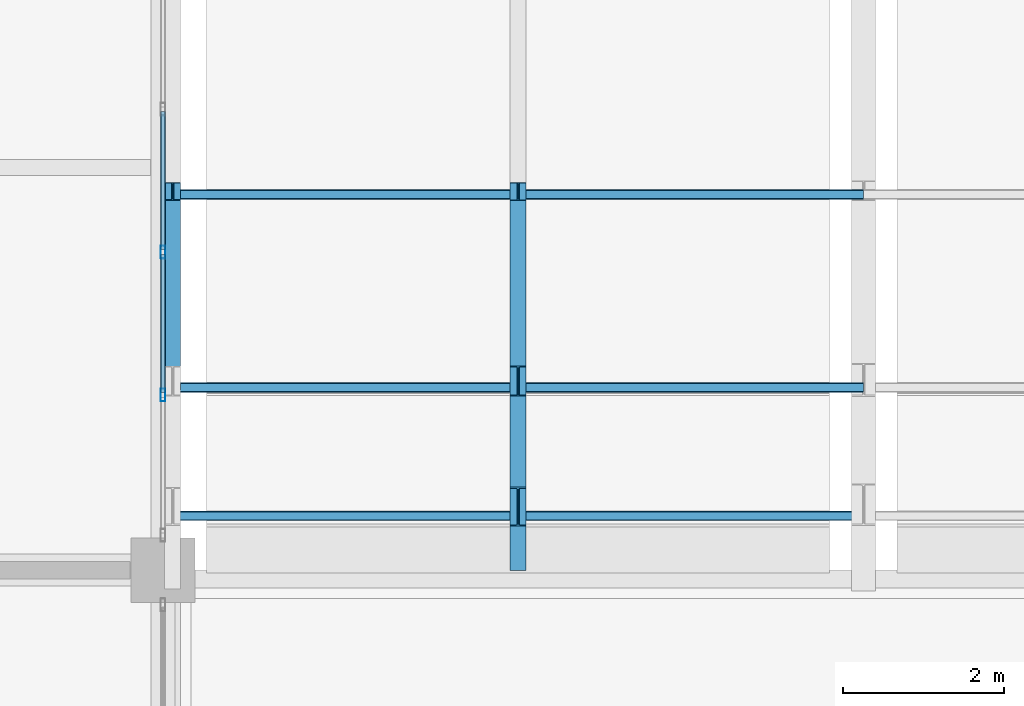
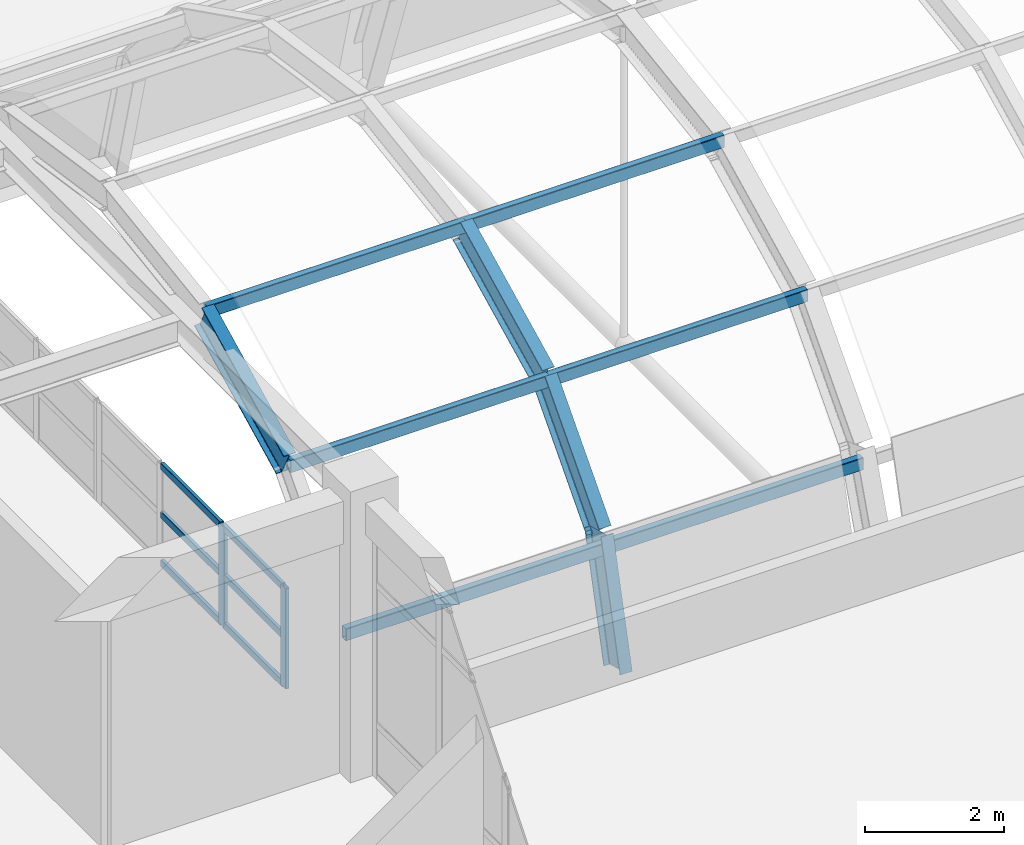
# One storey, part 40 of 124: 14 members, 4 beams, 1 element without a shape of its own.
"""IFC4 building model written with IfcOpenShell, lengths in metres."""

from ifc_helpers import new_model, si_unit, derived_unit, direction, frame, origin, origin_2d, place, context, subcontext, project, spatial, hollow_rectangle, i_section, extrude, material, layer, layer_set, material_profile, profile_set, type_object, element, aggregate, save


model = new_model("IFC4")

# Units and contexts
model_context = context("Model", 3, precision=1e-05, world=origin(), true_north=direction((0.0, 1.0)))
body_context = subcontext(model_context, "Body", "Model", "MODEL_VIEW")
ifc_project = project(units=[si_unit("LENGTHUNIT", "METRE"), si_unit("AREAUNIT", "SQUARE_METRE"), si_unit("VOLUMEUNIT", "CUBIC_METRE"), si_unit("PLANEANGLEUNIT", "RADIAN"), si_unit("MASSUNIT", "GRAM", prefix="KILO"), derived_unit("THERMALTRANSMITTANCEUNIT", [(si_unit("MASSUNIT", "GRAM", prefix="KILO"), 1), (si_unit("TIMEUNIT", "SECOND"), -3), (si_unit("THERMODYNAMICTEMPERATUREUNIT", "KELVIN"), -1)])], contexts=[model_context])

# Site, building, storey
site_placement = place(None, origin())
site = spatial("IfcSite", under=ifc_project, at=site_placement, CompositionType="ELEMENT")
building_placement = place(site_placement, origin())
building = spatial("IfcBuilding", under=site, at=building_placement, Name="Qinzheling Arcade Emporium", CompositionType="ELEMENT")
storey_placement = place(building_placement, frame((0.0, 0.0, 16.5)))
storey = spatial("IfcBuildingStorey", under=building, at=storey_placement, Name="L04", CompositionType="ELEMENT", Elevation=16.5)

# Beams
ifc_material_1 = material(Name="Weathering steel Q355NH", Category="steel")
ifc_material_profile_1 = material_profile(ifc_material_1, i_section(OverallWidth=0.199951171875, OverallDepth=0.5, WebThickness=0.010009765625, FlangeThickness=0.01611328125, FilletRadius=0.01806640625, at=origin_2d()), Name="HN 500x200x10x16", Category="steel")
ifc_profile_set_1 = profile_set([ifc_material_profile_1], Name="Weathering steel Q355NH")
beam_type = type_object("IfcBeamType", Name="Arcade End Arch Rib HN500 Q355NH", PredefinedType="BEAM", material=ifc_profile_set_1)
beam_1_placement = place(storey_placement, frame((104.52001953125, 52.7490234375, 3.760986328125), z_axis=(0.0, 0.89487186558, 0.44632313876), x_axis=(-1.0, 0.0, 0.0)))
element("IfcBeam", 1, at=beam_1_placement, inside=storey, type_object=beam_type, Name="Arcade Arch Rib VLT-ARCADE-RIB-01-S03", PredefinedType="BEAM", context=body_context, shape_type="SweptSolid", body=[
    extrude(i_section(OverallWidth=0.199951171875, OverallDepth=0.5, WebThickness=0.010009765625, FlangeThickness=0.01611328125, FilletRadius=0.01806640625, at=origin_2d()), origin(), (0.0, 0.0, 1.0), 2.6328125),
])
beam_2_placement = place(storey_placement, frame((108.81005859375, 50.639892578125, -0.06396484375), z_axis=(0.0, 0.254220652822, 0.967146245239), x_axis=(-1.0, 0.0, 0.0)))
element("IfcBeam", 2, at=beam_2_placement, inside=storey, type_object=beam_type, Name="Arcade Sub-Rib VLT-ARCADE-SRIB-B01-S01", PredefinedType="BEAM", context=body_context, shape_type="SweptSolid", body=[
    extrude(i_section(OverallWidth=0.199951171875, OverallDepth=0.5, WebThickness=0.010009765625, FlangeThickness=0.01611328125, FilletRadius=0.01806640625, at=origin_2d()), origin(), (0.0, 0.0, 1.0), 2.159912109375),
])
beam_3_placement = place(storey_placement, frame((108.81005859375, 51.18896484375, 2.02490234375), z_axis=(0.0, 0.667513023581, 0.744598122043), x_axis=(-1.0, 0.0, 0.0)))
element("IfcBeam", 3, at=beam_3_placement, inside=storey, type_object=beam_type, Name="Arcade Sub-Rib VLT-ARCADE-SRIB-B01-S02", PredefinedType="BEAM", context=body_context, shape_type="SweptSolid", body=[
    extrude(i_section(OverallWidth=0.199951171875, OverallDepth=0.5, WebThickness=0.010009765625, FlangeThickness=0.01611328125, FilletRadius=0.01806640625, at=origin_2d()), origin(), (0.0, 0.0, 1.0), 2.334228515625),
])
beam_4_placement = place(storey_placement, frame((108.81005859375, 52.7470703125, 3.762939453125), z_axis=(0.0, 0.895093759776, 0.445877966725), x_axis=(-1.0, 0.0, 0.0)))
element("IfcBeam", 4, at=beam_4_placement, inside=storey, type_object=beam_type, Name="Arcade Sub-Rib VLT-ARCADE-SRIB-B01-S03", PredefinedType="BEAM", context=body_context, shape_type="SweptSolid", body=[
    extrude(i_section(OverallWidth=0.199951171875, OverallDepth=0.5, WebThickness=0.010009765625, FlangeThickness=0.01611328125, FilletRadius=0.01806640625, at=origin_2d()), origin(), (0.0, 0.0, 1.0), 2.633056640625),
])

# Members
ifc_material_profile_2 = material_profile(ifc_material_1, hollow_rectangle(XDim=0.1201171875, YDim=0.219970703125, WallThickness=0.008056640625, InnerFilletRadius=0.008056640625, OuterFilletRadius=0.01611328125, at=origin_2d()), Name="RHS 220x120x8", Category="steel")
ifc_profile_set_2 = profile_set([ifc_material_profile_2], Name="Weathering steel Q355NH")
member_type_1 = type_object("IfcMemberType", Name="Arcade Skylight Purlin RHS220 Q355NH", PredefinedType="PURLIN", material=ifc_profile_set_2)
for number, where, z_axis, x_axis, name in (
    (5, (104.52001953125, 51.073974609375, 1.7958984375), (1.0, 0.0, 0.0), (0.0, 1.0, 0.0), "Arcade Skylight Purlin VLT-ARCADE-PUR-B01-N01-1"),
    (6, (108.81005859375, 51.073974609375, 1.7958984375), (1.0, 0.0, 0.0), (0.0, 1.0, 0.0), "Arcade Skylight Purlin VLT-ARCADE-PUR-B01-N01-2"),
    (7, (104.52001953125, 52.66796875, 3.778076171875), (1.0, 0.0, 0.0), (0.0, 1.0, 0.0), "Arcade Skylight Purlin VLT-ARCADE-PUR-B01-N02-1"),
    (8, (108.81005859375, 52.66796875, 3.778076171875), (1.0, 0.0, 0.0), (0.0, 1.0, 0.0), "Arcade Skylight Purlin VLT-ARCADE-PUR-B01-N02-2"),
    (9, (104.52001953125, 55.06591796875, 5.031005859375), (1.0, 0.0, 0.0), (0.0, 1.0, 0.0), "Arcade Skylight Purlin VLT-ARCADE-PUR-B01-N03-1"),
    (10, (108.81005859375, 55.06591796875, 5.031005859375), (1.0, 0.0, 0.0), (0.0, 1.0, 0.0), "Arcade Skylight Purlin VLT-ARCADE-PUR-B01-N03-2"),
):
    element("IfcMember", number, at=place(storey_placement, frame(where, z_axis=z_axis, x_axis=x_axis)), inside=storey, type_object=member_type_1, Name=name, PredefinedType="PURLIN", context=body_context, shape_type="SweptSolid", body=[
        extrude(hollow_rectangle(XDim=0.1201171875, YDim=0.219970703125, WallThickness=0.008056640625, InnerFilletRadius=0.008056640625, OuterFilletRadius=0.01611328125, at=origin_2d()), origin(), (0.0, 0.0, 1.0), 4.2900390625),
    ])

# Curtain wall, members
ifc_material_2 = material(Name="Anodised aluminium and solar-control double glazing", Category="aluminium")
ifc_layer = layer(ifc_material_2, 0.159912109375, Name="Anodised aluminium and solar-control double glazing", Category="aluminium")
ifc_layer_set = layer_set([ifc_layer], Name="Anodised aluminium and solar-control double glazing")
curtain_wall_type = type_object("IfcCurtainWallType", Name="Atrium Clerestory Curtain Wall", PredefinedType="NOTDEFINED", material=ifc_layer_set)
curtain_wall_placement = place(storey_placement, origin())
curtain_wall = element("IfcCurtainWall", 11, at=curtain_wall_placement, inside=storey, type_object=curtain_wall_type, Name="Curtain Wall CW-L04-252", PredefinedType="NOTDEFINED")
ifc_material_3 = material(Name="Anodised aluminium 6063-T6", Category="aluminium")
ifc_material_profile_3 = material_profile(ifc_material_3, hollow_rectangle(XDim=0.06005859375, YDim=0.159912109375, WallThickness=0.00390625, InnerFilletRadius=0.00390625, OuterFilletRadius=0.008056640625, at=origin_2d()), Name="RHS 160x60x4", Category="aluminium")
ifc_profile_set_3 = profile_set([ifc_material_profile_3], Name="Anodised aluminium 6063-T6")
member_type_2 = type_object("IfcMemberType", Name="Curtain Wall Mullion RHS160x60", PredefinedType="MULLION", material=ifc_profile_set_3)
member_1_placement = place(storey_placement, frame((104.39990234375, 54.35009765625, 0.0), z_axis=(0.0, 0.0, 1.0), x_axis=(1.0, 0.0, 0.0)))
member_1 = element("IfcMember", 12, at=member_1_placement, type_object=member_type_2, Name="CW03 mullion 3", PredefinedType="MULLION", context=body_context, shape_type="SweptSolid", body=[
    extrude(hollow_rectangle(XDim=0.06005859375, YDim=0.159912109375, WallThickness=0.00390625, InnerFilletRadius=0.00390625, OuterFilletRadius=0.008056640625, at=origin_2d()), origin(), (0.0, 0.0, 1.0), 1.759033203125),
])
member_2_placement = place(storey_placement, frame((104.39990234375, 52.575927734375, 0.0), z_axis=(0.0, 0.0, 1.0), x_axis=(1.0, 0.0, 0.0)))
member_2 = element("IfcMember", 13, at=member_2_placement, type_object=member_type_2, Name="CW03 mullion 4", PredefinedType="MULLION", context=body_context, shape_type="SweptSolid", body=[
    extrude(hollow_rectangle(XDim=0.06005859375, YDim=0.159912109375, WallThickness=0.00390625, InnerFilletRadius=0.00390625, OuterFilletRadius=0.008056640625, at=origin_2d()), origin(), (0.0, 0.0, 1.0), 1.759033203125),
])
ifc_material_profile_4 = material_profile(ifc_material_3, hollow_rectangle(XDim=0.06005859375, YDim=0.1201171875, WallThickness=0.00390625, InnerFilletRadius=0.00390625, OuterFilletRadius=0.008056640625, at=origin_2d()), Name="RHS 120x60x4", Category="aluminium")
ifc_profile_set_4 = profile_set([ifc_material_profile_4], Name="Anodised aluminium 6063-T6")
member_type_3 = type_object("IfcMemberType", Name="Curtain Wall Transom RHS120x60", PredefinedType="USERDEFINED", material=ifc_profile_set_4)
member_3_placement = place(storey_placement, frame((104.39990234375, 56.093994140625, 0.030029296875), z_axis=(0.0, -1.0, 0.0), x_axis=(1.0, 0.0, 0.0)))
member_3 = element("IfcMember", 14, at=member_3_placement, type_object=member_type_3, Name="CW03 transom 2.1", ObjectType="TRANSOM", PredefinedType="USERDEFINED", context=body_context, shape_type="SweptSolid", body=[
    extrude(hollow_rectangle(XDim=0.06005859375, YDim=0.1201171875, WallThickness=0.00390625, InnerFilletRadius=0.00390625, OuterFilletRadius=0.008056640625, at=origin_2d()), origin(), (0.0, 0.0, 1.0), 1.714111328125),
])
member_4_placement = place(storey_placement, frame((104.39990234375, 56.093994140625, 0.8798828125), z_axis=(0.0, -1.0, 0.0), x_axis=(1.0, 0.0, 0.0)))
member_4 = element("IfcMember", 15, at=member_4_placement, type_object=member_type_3, Name="CW03 transom 2.2", ObjectType="TRANSOM", PredefinedType="USERDEFINED", context=body_context, shape_type="SweptSolid", body=[
    extrude(hollow_rectangle(XDim=0.06005859375, YDim=0.1201171875, WallThickness=0.00390625, InnerFilletRadius=0.00390625, OuterFilletRadius=0.008056640625, at=origin_2d()), origin(), (0.0, 0.0, 1.0), 1.714111328125),
])
member_5_placement = place(storey_placement, frame((104.39990234375, 56.093994140625, 1.72900390625), z_axis=(0.0, -1.0, 0.0), x_axis=(1.0, 0.0, 0.0)))
member_5 = element("IfcMember", 16, at=member_5_placement, type_object=member_type_3, Name="CW03 transom 2.3", ObjectType="TRANSOM", PredefinedType="USERDEFINED", context=body_context, shape_type="SweptSolid", body=[
    extrude(hollow_rectangle(XDim=0.06005859375, YDim=0.1201171875, WallThickness=0.00390625, InnerFilletRadius=0.00390625, OuterFilletRadius=0.008056640625, at=origin_2d()), origin(), (0.0, 0.0, 1.0), 1.714111328125),
])
member_6_placement = place(storey_placement, frame((104.39990234375, 54.320068359375, 0.030029296875), z_axis=(0.0, -1.0, 0.0), x_axis=(1.0, 0.0, 0.0)))
member_6 = element("IfcMember", 17, at=member_6_placement, type_object=member_type_3, Name="CW03 transom 3.1", ObjectType="TRANSOM", PredefinedType="USERDEFINED", context=body_context, shape_type="SweptSolid", body=[
    extrude(hollow_rectangle(XDim=0.06005859375, YDim=0.1201171875, WallThickness=0.00390625, InnerFilletRadius=0.00390625, OuterFilletRadius=0.008056640625, at=origin_2d()), origin(), (0.0, 0.0, 1.0), 1.714111328125),
])
member_7_placement = place(storey_placement, frame((104.39990234375, 54.320068359375, 0.8798828125), z_axis=(0.0, -1.0, 0.0), x_axis=(1.0, 0.0, 0.0)))
member_7 = element("IfcMember", 18, at=member_7_placement, type_object=member_type_3, Name="CW03 transom 3.2", ObjectType="TRANSOM", PredefinedType="USERDEFINED", context=body_context, shape_type="SweptSolid", body=[
    extrude(hollow_rectangle(XDim=0.06005859375, YDim=0.1201171875, WallThickness=0.00390625, InnerFilletRadius=0.00390625, OuterFilletRadius=0.008056640625, at=origin_2d()), origin(), (0.0, 0.0, 1.0), 1.714111328125),
])
member_8_placement = place(storey_placement, frame((104.39990234375, 54.320068359375, 1.72900390625), z_axis=(0.0, -1.0, 0.0), x_axis=(1.0, 0.0, 0.0)))
member_8 = element("IfcMember", 19, at=member_8_placement, type_object=member_type_3, Name="CW03 transom 3.3", ObjectType="TRANSOM", PredefinedType="USERDEFINED", context=body_context, shape_type="SweptSolid", body=[
    extrude(hollow_rectangle(XDim=0.06005859375, YDim=0.1201171875, WallThickness=0.00390625, InnerFilletRadius=0.00390625, OuterFilletRadius=0.008056640625, at=origin_2d()), origin(), (0.0, 0.0, 1.0), 1.714111328125),
])
aggregate(curtain_wall, [member_1, member_2, member_3, member_4, member_5, member_6, member_7, member_8])

save(model, "model.ifc")
